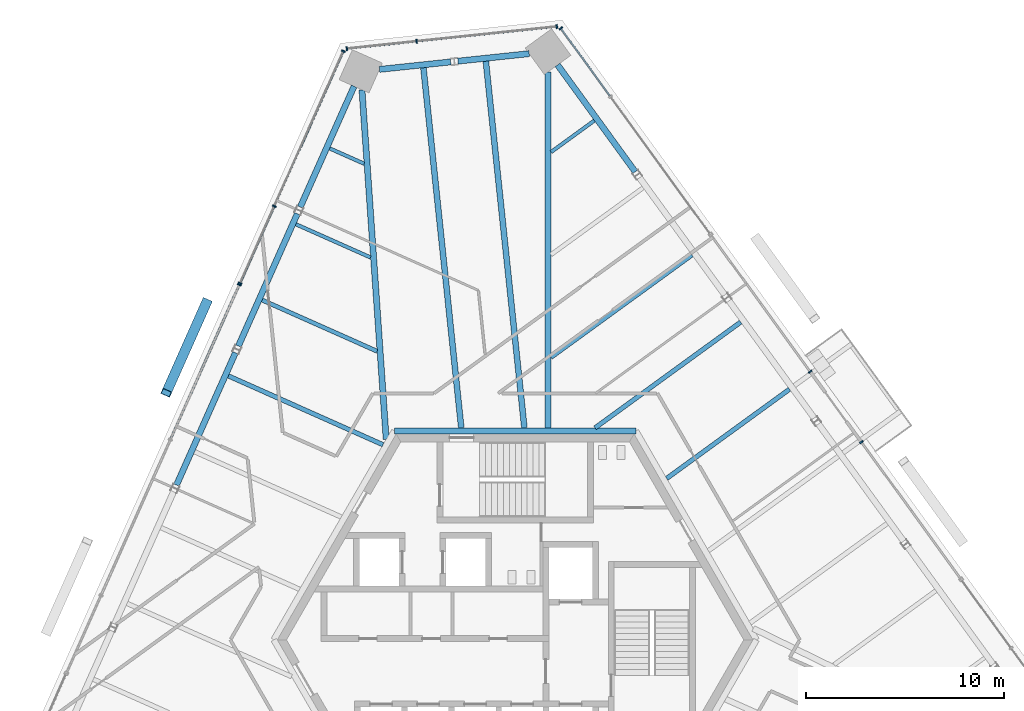
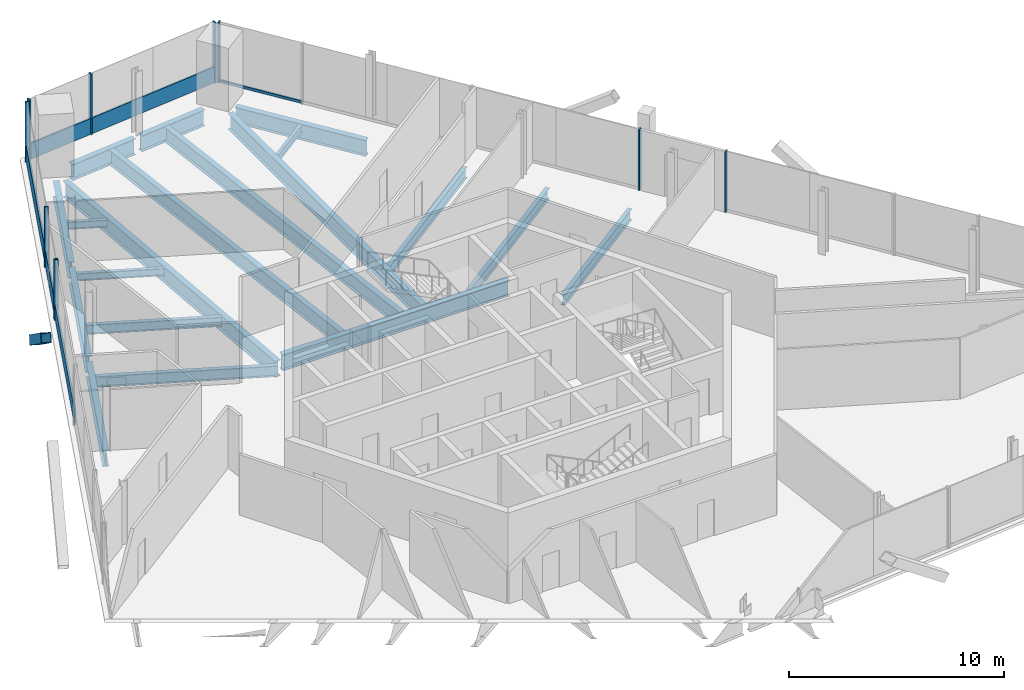
# One storey, part 8 of 18: 19 beams, 17 members, 6 elements without a shape of their own.
"""IFC4 building model written with IfcOpenShell, lengths in metres."""

from ifc_helpers import new_model, si_unit, direction, frame, origin, origin_2d, place, context, subcontext, project, spatial, rectangle, hollow_rectangle, i_section, extrude, source, transform, mapped, material, material_profile, profile_set, type_object, element, aggregate, save


model = new_model("IFC4")

# Units and contexts
model_context = context("Model", 3, precision=1e-05, world=origin(), true_north=direction((0.0, 1.0)))
body_context = subcontext(model_context, "Body", "Model", "MODEL_VIEW")
ifc_project = project(units=[si_unit("LENGTHUNIT", "METRE"), si_unit("AREAUNIT", "SQUARE_METRE"), si_unit("VOLUMEUNIT", "CUBIC_METRE"), si_unit("PLANEANGLEUNIT", "RADIAN"), si_unit("MASSUNIT", "GRAM", prefix="KILO")], contexts=[model_context])

# Site, building, storey
site_placement = place(None, origin())
site = spatial("IfcSite", under=ifc_project, at=site_placement, CompositionType="ELEMENT")
building_placement = place(site_placement, origin())
building = spatial("IfcBuilding", under=site, at=building_placement, Name="Triune Harvest Tower", CompositionType="ELEMENT")
storey_placement = place(building_placement, frame((0.0, 0.0, 230.5)))
storey = spatial("IfcBuildingStorey", under=building, at=storey_placement, Name="L60", CompositionType="ELEMENT", Elevation=230.5)

# Beams
ifc_material_1 = material(Name="Steel ASTM A992 Gr 50", Category="steel")
ifc_material_profile_1 = material_profile(ifc_material_1, i_section(OverallWidth=0.3046875, OverallDepth=0.914306640625, WebThickness=0.0166015625, FlangeThickness=0.02587890625, at=origin_2d()), Name="W36x160")
ifc_profile_set_1 = profile_set([ifc_material_profile_1], Name="Steel ASTM A992 Gr 50")
beam_type_1 = type_object("IfcBeamType", Name="CG-1 Core ring girder W36x160", PredefinedType="BEAM", material=ifc_profile_set_1)
shared_shape_1 = source(origin(), body_context, "Body", "SweptSolid", [
    extrude(i_section(OverallWidth=0.3046875, OverallDepth=0.914306640625, WebThickness=0.0166015625, FlangeThickness=0.02587890625, at=origin_2d()), origin(), (0.0, 0.0, 1.0), 12.17578125),
])
beam_1_placement = place(storey_placement, frame((6.087890625, 10.544677734375, -0.6171875), z_axis=(-1.0, 0.0, 0.0), x_axis=(0.0, -1.0, 0.0)))
element("IfcBeam", 1, at=beam_1_placement, inside=storey, type_object=beam_type_1, Name="beam/L60/CG2", PredefinedType="BEAM", context=body_context, shape_type="MappedRepresentation", body=[
    mapped(shared_shape_1, transform((0.0, 0.0, 0.0), scale=1.0)),
])
ifc_material_2 = material(Name="Steel ASTM A992 Gr 50", Category="steel")
ifc_material_profile_2 = material_profile(ifc_material_2, i_section(OverallWidth=0.3046875, OverallDepth=0.914306640625, WebThickness=0.0166015625, FlangeThickness=0.02587890625, at=origin_2d()), Name="W36x160")
ifc_profile_set_2 = profile_set([ifc_material_profile_2], Name="Steel ASTM A992 Gr 50")
beam_type_2 = type_object("IfcBeamType", Name="SB-1 Spandrel beam W36x160", PredefinedType="SPANDREL", material=ifc_profile_set_2)
shared_shape_2 = source(origin(), body_context, "Body", "SweptSolid", [
    extrude(i_section(OverallWidth=0.3046875, OverallDepth=0.914306640625, WebThickness=0.0166015625, FlangeThickness=0.02587890625, at=origin_2d()), origin(), (0.0, 0.0, 1.0), 6.67041015625),
])
beam_2_placement = place(storey_placement, frame((6.06396484375, 23.617919921875, -0.6171875), z_axis=(-0.587797324645, 0.80900822316, 0.0), x_axis=(-0.80900822316, -0.587797324645, 0.0)))
element("IfcBeam", 2, at=beam_2_placement, inside=storey, type_object=beam_type_2, Name="beam/L60/SB6", PredefinedType="SPANDREL", context=body_context, shape_type="MappedRepresentation", body=[
    mapped(shared_shape_2, transform((0.0, 0.0, 0.0), scale=1.0)),
])
shared_shape_3 = source(origin(), body_context, "Body", "SweptSolid", [
    extrude(i_section(OverallWidth=0.3046875, OverallDepth=0.914306640625, WebThickness=0.0166015625, FlangeThickness=0.02587890625, at=origin_2d()), origin(), (0.0, 0.0, 1.0), 7.31103515625),
])
beam_3_placement = place(storey_placement, frame((-14.114990234375, 14.489013671875, -0.6171875), z_axis=(-0.406761135511, -0.913534552514, 0.0), x_axis=(0.913534552514, -0.406761135511, 0.0)))
element("IfcBeam", 3, at=beam_3_placement, inside=storey, type_object=beam_type_2, Name="beam/L60/SB11", PredefinedType="SPANDREL", context=body_context, shape_type="MappedRepresentation", body=[
    mapped(shared_shape_3, transform((0.0, 0.0, 0.0), scale=1.0)),
])
shared_shape_4 = source(origin(), body_context, "Body", "SweptSolid", [
    extrude(i_section(OverallWidth=0.3046875, OverallDepth=0.914306640625, WebThickness=0.0166015625, FlangeThickness=0.02587890625, at=origin_2d()), origin(), (0.0, 0.0, 1.0), 3.614990234375),
])
for number, where, z_axis, x_axis, name in (
    (4, (0.710693359375, 29.58203125, -0.6171875), (-0.994520245169, -0.104544162673, 0.0), (0.104544162673, -0.994520245169, 0.0), "beam/L60/SB7"),
    (5, (-3.25048828125, 29.165771484375, -0.6171875), (-0.994520245169, -0.104544162673, 0.0), (0.104544162673, -0.994520245169, 0.0), "beam/L60/SB8"),
):
    element("IfcBeam", number, at=place(storey_placement, frame(where, z_axis=z_axis, x_axis=x_axis)), inside=storey, type_object=beam_type_2, Name=name, PredefinedType="SPANDREL", context=body_context, shape_type="MappedRepresentation", body=[
        mapped(shared_shape_4, transform((0.0, 0.0, 0.0), scale=1.0)),
    ])
shared_shape_5 = source(origin(), body_context, "Body", "SweptSolid", [
    extrude(i_section(OverallWidth=0.3046875, OverallDepth=0.914306640625, WebThickness=0.0166015625, FlangeThickness=0.02587890625, at=origin_2d()), origin(), (0.0, 0.0, 1.0), 6.670166015625),
])
beam_4_placement = place(storey_placement, frame((-8.128662109375, 27.9345703125, -0.6171875), z_axis=(-0.406753053854, -0.913538150917, 0.0), x_axis=(0.913538150917, -0.406753053854, 0.0)))
element("IfcBeam", 6, at=beam_4_placement, inside=storey, type_object=beam_type_2, Name="beam/L60/SB9", PredefinedType="SPANDREL", context=body_context, shape_type="MappedRepresentation", body=[
    mapped(shared_shape_5, transform((0.0, 0.0, 0.0), scale=1.0)),
])
shared_shape_6 = source(origin(), body_context, "Body", "SweptSolid", [
    extrude(i_section(OverallWidth=0.3046875, OverallDepth=0.914306640625, WebThickness=0.0166015625, FlangeThickness=0.02587890625, at=origin_2d()), origin(), (0.0, 0.0, 1.0), 7.311279296875),
])
beam_5_placement = place(storey_placement, frame((-10.991455078125, 21.504638671875, -0.6171875), z_axis=(-0.406720859208, -0.91355248491, 0.0), x_axis=(0.91355248491, -0.406720859208, 0.0)))
element("IfcBeam", 7, at=beam_5_placement, inside=storey, type_object=beam_type_2, Name="beam/L60/SB10", PredefinedType="SPANDREL", context=body_context, shape_type="MappedRepresentation", body=[
    mapped(shared_shape_6, transform((0.0, 0.0, 0.0), scale=1.0)),
])
ifc_material_3 = material(Name="Steel ASTM A992 Gr 50", Category="steel")
ifc_material_profile_3 = material_profile(ifc_material_3, i_section(OverallWidth=0.3046875, OverallDepth=0.914306640625, WebThickness=0.0166015625, FlangeThickness=0.02587890625, at=origin_2d()), Name="W36x160")
ifc_profile_set_3 = profile_set([ifc_material_profile_3], Name="Steel ASTM A992 Gr 50")
beam_type_3 = type_object("IfcBeamType", Name="HG-3 Hip girder W36x160", PredefinedType="BEAM", material=ifc_profile_set_3)
shared_shape_7 = source(origin(), body_context, "Body", "SweptSolid", [
    extrude(i_section(OverallWidth=0.3046875, OverallDepth=0.914306640625, WebThickness=0.0166015625, FlangeThickness=0.02587890625, at=origin_2d()), origin(), (0.0, 0.0, 1.0), 17.96484375),
])
beam_6_placement = place(storey_placement, frame((1.658203125, 28.661865234375, -0.6171875), z_axis=(0.0, -1.0, 0.0), x_axis=(1.0, 0.0, 0.0)))
element("IfcBeam", 8, at=beam_6_placement, inside=storey, type_object=beam_type_3, Name="beam/L60/HG3", PredefinedType="BEAM", context=body_context, shape_type="MappedRepresentation", body=[
    mapped(shared_shape_7, transform((0.0, 0.0, 0.0), scale=1.0)),
])
shared_shape_8 = source(origin(), body_context, "Body", "SweptSolid", [
    extrude(i_section(OverallWidth=0.3046875, OverallDepth=0.914306640625, WebThickness=0.0166015625, FlangeThickness=0.02587890625, at=origin_2d()), origin(), (0.0, 0.0, 1.0), 17.6748046875),
])
beam_7_placement = place(storey_placement, frame((-7.728515625, 27.756591796875, -0.6171875), z_axis=(0.069119702871, -0.997608373399, 0.0), x_axis=(0.997608373399, 0.069119702871, 0.0)))
element("IfcBeam", 9, at=beam_7_placement, inside=storey, type_object=beam_type_3, Name="beam/L60/HG4", PredefinedType="BEAM", context=body_context, shape_type="MappedRepresentation", body=[
    mapped(shared_shape_8, transform((0.0, 0.0, 0.0), scale=1.0)),
])
ifc_material_4 = material(Name="Steel ASTM A992 Gr 50", Category="steel")
ifc_material_profile_4 = material_profile(ifc_material_4, i_section(OverallWidth=0.2099609375, OverallDepth=0.535888671875, WebThickness=0.010986328125, FlangeThickness=0.017333984375, at=origin_2d()), Name="W21x68")
ifc_profile_set_4 = profile_set([ifc_material_profile_4], Name="Steel ASTM A992 Gr 50")
beam_type_4 = type_object("IfcBeamType", Name="JT-2 Floor joist W21x68", PredefinedType="JOIST", material=ifc_profile_set_4)
shared_shape_9 = source(origin(), body_context, "Body", "SweptSolid", [
    extrude(i_section(OverallWidth=0.2099609375, OverallDepth=0.535888671875, WebThickness=0.010986328125, FlangeThickness=0.017333984375, at=origin_2d()), origin(), (0.0, 0.0, 1.0), 6.346435546875),
])
beam_8_placement = place(storey_placement, frame((-12.76513671875, 17.146484375, -0.427978515625), z_axis=(0.913549614508, -0.406727306476, 0.0), x_axis=(0.406727306476, 0.913549614508, 0.0)))
element("IfcBeam", 10, at=beam_8_placement, inside=storey, type_object=beam_type_4, Name="beam/L60/JT15", PredefinedType="JOIST", context=body_context, shape_type="MappedRepresentation", body=[
    mapped(shared_shape_9, transform((0.0, 0.0, 0.0), scale=1.0)),
])
ifc_material_5 = material(Name="Steel ASTM A992 Gr 50", Category="steel")
ifc_material_profile_5 = material_profile(ifc_material_5, i_section(OverallWidth=0.22900390625, OverallDepth=0.612060546875, WebThickness=0.011962890625, FlangeThickness=0.01953125, at=origin_2d()), Name="W24x84")
ifc_profile_set_5 = profile_set([ifc_material_profile_5], Name="Steel ASTM A992 Gr 50")
beam_type_5 = type_object("IfcBeamType", Name="JT-3 Floor joist W24x84", PredefinedType="JOIST", material=ifc_profile_set_5)
shared_shape_10 = source(origin(), body_context, "Body", "SweptSolid", [
    extrude(i_section(OverallWidth=0.22900390625, OverallDepth=0.612060546875, WebThickness=0.011962890625, FlangeThickness=0.01953125, at=origin_2d()), origin(), (0.0, 0.0, 1.0), 7.659423828125),
])
beam_9_placement = place(storey_placement, frame((13.845458984375, 12.648193359375, -0.466064453125), z_axis=(-0.809007534686, -0.587798272217, 0.0), x_axis=(0.587798272217, -0.809007534686, 0.0)))
element("IfcBeam", 11, at=beam_9_placement, inside=storey, type_object=beam_type_5, Name="beam/L60/JT6", PredefinedType="JOIST", context=body_context, shape_type="MappedRepresentation", body=[
    mapped(shared_shape_10, transform((0.0, 0.0, 0.0), scale=1.0)),
])
shared_shape_11 = source(origin(), body_context, "Body", "SweptSolid", [
    extrude(i_section(OverallWidth=0.22900390625, OverallDepth=0.612060546875, WebThickness=0.011962890625, FlangeThickness=0.01953125, at=origin_2d()), origin(), (0.0, 0.0, 1.0), 9.084716796875),
])
beam_10_placement = place(storey_placement, frame((11.38330078125, 16.036865234375, -0.466064453125), z_axis=(-0.809014901919, -0.5877881323, 0.0), x_axis=(0.5877881323, -0.809014901919, 0.0)))
element("IfcBeam", 12, at=beam_10_placement, inside=storey, type_object=beam_type_5, Name="beam/L60/JT7", PredefinedType="JOIST", context=body_context, shape_type="MappedRepresentation", body=[
    mapped(shared_shape_11, transform((0.0, 0.0, 0.0), scale=1.0)),
])
shared_shape_12 = source(origin(), body_context, "Body", "SweptSolid", [
    extrude(i_section(OverallWidth=0.22900390625, OverallDepth=0.612060546875, WebThickness=0.011962890625, FlangeThickness=0.01953125, at=origin_2d()), origin(), (0.0, 0.0, 1.0), 8.789306640625),
])
beam_11_placement = place(storey_placement, frame((8.921142578125, 19.42578125, -0.466064453125), z_axis=(-0.809011065255, -0.587793412939, 0.0), x_axis=(0.587793412939, -0.809011065255, 0.0)))
element("IfcBeam", 13, at=beam_11_placement, inside=storey, type_object=beam_type_5, Name="beam/L60/JT8", PredefinedType="JOIST", context=body_context, shape_type="MappedRepresentation", body=[
    mapped(shared_shape_12, transform((0.0, 0.0, 0.0), scale=1.0)),
])
ifc_material_6 = material(Name="Steel ASTM A992 Gr 50", Category="steel")
ifc_material_profile_6 = material_profile(ifc_material_6, i_section(OverallWidth=0.180908203125, OverallDepth=0.41650390625, WebThickness=0.010986328125, FlangeThickness=0.01806640625, at=origin_2d()), Name="W16x57")
ifc_profile_set_6 = profile_set([ifc_material_profile_6], Name="Steel ASTM A992 Gr 50")
beam_type_6 = type_object("IfcBeamType", Name="JT-1 Floor joist W16x57", PredefinedType="JOIST", material=ifc_profile_set_6)
shared_shape_13 = source(origin(), body_context, "Body", "SweptSolid", [
    extrude(i_section(OverallWidth=0.180908203125, OverallDepth=0.41650390625, WebThickness=0.010986328125, FlangeThickness=0.01806640625, at=origin_2d()), origin(), (0.0, 0.0, 1.0), 2.70263671875),
])
beam_12_placement = place(storey_placement, frame((3.9970703125, 26.203369140625, -0.368408203125), z_axis=(-0.809013338029, -0.587790284788, 0.0), x_axis=(0.587790284788, -0.809013338029, 0.0)))
element("IfcBeam", 14, at=beam_12_placement, inside=storey, type_object=beam_type_6, Name="beam/L60/JT10", PredefinedType="JOIST", context=body_context, shape_type="MappedRepresentation", body=[
    mapped(shared_shape_13, transform((0.0, 0.0, 0.0), scale=1.0)),
])
ifc_material_7 = material(Name="Steel ASTM A992 Gr 50", Category="steel")
ifc_material_profile_7 = material_profile(ifc_material_7, i_section(OverallWidth=0.2919921875, OverallDepth=0.8408203125, WebThickness=0.0146484375, FlangeThickness=0.021728515625, at=origin_2d()), Name="W33x130")
ifc_profile_set_7 = profile_set([ifc_material_profile_7], Name="Steel ASTM A992 Gr 50")
beam_type_7 = type_object("IfcBeamType", Name="JT-6 Floor joist W33x130", PredefinedType="JOIST", material=ifc_profile_set_7)
shared_shape_14 = source(origin(), body_context, "Body", "SweptSolid", [
    extrude(i_section(OverallWidth=0.2919921875, OverallDepth=0.8408203125, WebThickness=0.0146484375, FlangeThickness=0.021728515625, at=origin_2d()), origin(), (0.0, 0.0, 1.0), 18.60400390625),
])
beam_13_placement = place(storey_placement, frame((-1.476318359375, 29.198974609375, -0.580322265625), z_axis=(0.104538595675, -0.994520830357, 0.0), x_axis=(0.994520830357, 0.104538595675, 0.0)))
element("IfcBeam", 15, at=beam_13_placement, inside=storey, type_object=beam_type_7, Name="beam/L60/JT11", PredefinedType="JOIST", context=body_context, shape_type="MappedRepresentation", body=[
    mapped(shared_shape_14, transform((0.0, 0.0, 0.0), scale=1.0)),
])
shared_shape_15 = source(origin(), body_context, "Body", "SweptSolid", [
    extrude(i_section(OverallWidth=0.2919921875, OverallDepth=0.8408203125, WebThickness=0.0146484375, FlangeThickness=0.021728515625, at=origin_2d()), origin(), (0.0, 0.0, 1.0), 18.27099609375),
])
beam_14_placement = place(storey_placement, frame((-4.626708984375, 28.867919921875, -0.580322265625), z_axis=(0.104532454263, -0.99452147589, 0.0), x_axis=(0.99452147589, 0.104532454263, 0.0)))
element("IfcBeam", 16, at=beam_14_placement, inside=storey, type_object=beam_type_7, Name="beam/L60/JT12", PredefinedType="JOIST", context=body_context, shape_type="MappedRepresentation", body=[
    mapped(shared_shape_15, transform((0.0, 0.0, 0.0), scale=1.0)),
])
shared_shape_16 = source(origin(), body_context, "Body", "SweptSolid", [
    extrude(i_section(OverallWidth=0.180908203125, OverallDepth=0.41650390625, WebThickness=0.010986328125, FlangeThickness=0.01806640625, at=origin_2d()), origin(), (0.0, 0.0, 1.0), 1.899169921875),
])
beam_15_placement = place(storey_placement, frame((-9.357666015625, 24.7998046875, -0.368408203125), z_axis=(0.913535666592, -0.406758633422, 0.0), x_axis=(0.406758633422, 0.913535666592, 0.0)))
element("IfcBeam", 17, at=beam_15_placement, inside=storey, type_object=beam_type_6, Name="beam/L60/JT13", PredefinedType="JOIST", context=body_context, shape_type="MappedRepresentation", body=[
    mapped(shared_shape_16, transform((0.0, 0.0, 0.0), scale=1.0)),
])
shared_shape_17 = source(origin(), body_context, "Body", "SweptSolid", [
    extrude(i_section(OverallWidth=0.180908203125, OverallDepth=0.41650390625, WebThickness=0.010986328125, FlangeThickness=0.01806640625, at=origin_2d()), origin(), (0.0, 0.0, 1.0), 4.12255859375),
])
beam_16_placement = place(storey_placement, frame((-11.061279296875, 20.972900390625, -0.368408203125), z_axis=(0.913547607509, -0.406731814363, 0.0), x_axis=(0.406731814363, 0.913547607509, 0.0)))
element("IfcBeam", 18, at=beam_16_placement, inside=storey, type_object=beam_type_6, Name="beam/L60/JT14", PredefinedType="JOIST", context=body_context, shape_type="MappedRepresentation", body=[
    mapped(shared_shape_17, transform((0.0, 0.0, 0.0), scale=1.0)),
])
shared_shape_18 = source(origin(), body_context, "Body", "SweptSolid", [
    extrude(i_section(OverallWidth=0.22900390625, OverallDepth=0.612060546875, WebThickness=0.011962890625, FlangeThickness=0.01953125, at=origin_2d()), origin(), (0.0, 0.0, 1.0), 8.539794921875),
])
beam_17_placement = place(storey_placement, frame((-14.46875, 13.319580078125, -0.466064453125), z_axis=(0.913548460016, -0.406729899567, 0.0), x_axis=(0.406729899567, 0.913548460016, 0.0)))
element("IfcBeam", 19, at=beam_17_placement, inside=storey, type_object=beam_type_5, Name="beam/L60/JT16", PredefinedType="JOIST", context=body_context, shape_type="MappedRepresentation", body=[
    mapped(shared_shape_18, transform((0.0, 0.0, 0.0), scale=1.0)),
])

# Member
ifc_material_8 = material(Name="Steel ASTM A572 Gr 50", Category="steel")
ifc_material_profile_8 = material_profile(ifc_material_8, hollow_rectangle(XDim=0.5, YDim=0.5, WallThickness=0.030029296875, at=origin_2d()), Name="Box 500x500x30")
ifc_profile_set_8 = profile_set([ifc_material_profile_8], Name="Steel ASTM A572 Gr 50")
member_type_1 = type_object("IfcMemberType", Name="BR-3 Brace Box 500x500x30", PredefinedType="BRACE", material=ifc_profile_set_8)
shared_shape_19 = source(origin(), body_context, "Body", "SweptSolid", [
    extrude(hollow_rectangle(XDim=0.5, YDim=0.5, WallThickness=0.030029296875, at=origin_2d()), origin(), (0.0, 0.0, 1.0), 6.170654296875),
])
member_1_placement = place(storey_placement, frame((-15.565673828125, 17.04638671875, 0.0), z_axis=(-0.330361733769, -0.741948933338, 0.583414865408), x_axis=(0.913534117788, -0.40676211185, 0.0)))
element("IfcMember", 20, at=member_1_placement, inside=storey, type_object=member_type_1, Name="brace/B6-F3/d1/4", PredefinedType="BRACE", context=body_context, shape_type="MappedRepresentation", body=[
    mapped(shared_shape_19, transform((0.0, 0.0, 0.0), scale=1.0)),
])

# Curtain wall, members
ifc_material_9 = material(Name="Aluminium bronze anodised", Category="aluminium")
curtain_wall_type_1 = type_object("IfcCurtainWallType", Name="CW-1 Tower stick curtain wall", PredefinedType="NOTDEFINED", material=ifc_material_9)
curtain_wall_1_placement = place(storey_placement, origin())
curtain_wall_1 = element("IfcCurtainWall", 21, at=curtain_wall_1_placement, inside=storey, type_object=curtain_wall_type_1, Name="CW-1 B6-F2 L60 run 1")
ifc_material_10 = material(Name="Aluminium bronze anodised", Category="aluminium")
ifc_material_profile_9 = material_profile(ifc_material_10, rectangle(XDim=0.199951171875, YDim=0.074951171875, at=origin_2d()), Name="MU-1 mullion 75 x 200")
ifc_profile_set_9 = profile_set([ifc_material_profile_9], Name="Aluminium bronze anodised")
member_type_2 = type_object("IfcMemberType", Name="MU-1 mullion 75 x 200", PredefinedType="MULLION", material=ifc_profile_set_9)
shared_shape_20 = source(origin(), body_context, "Body", "SweptSolid", [
    extrude(rectangle(XDim=0.199951171875, YDim=0.074951171875, at=origin_2d()), origin(), (0.0, 0.0, 1.0), 3.43994140625),
])
member_2_placement = place(storey_placement, frame((2.102294921875, 30.95068359375, 0.0), z_axis=(0.0, 0.0, 1.0), x_axis=(0.104529672907, -0.994521768229, 0.0)))
member_2 = element("IfcMember", 22, at=member_2_placement, type_object=member_type_2, Name="CW-1 mullion B6-F2 1.1", PredefinedType="MULLION", context=body_context, shape_type="MappedRepresentation", body=[
    mapped(shared_shape_20, transform((0.0, 0.0, 0.0), scale=1.0)),
])
member_3_placement = place(storey_placement, frame((-4.972412109375, 30.20703125, 0.0), z_axis=(0.0, 0.0, 1.0), x_axis=(0.104529672907, -0.994521768229, 0.0)))
member_3 = element("IfcMember", 23, at=member_3_placement, type_object=member_type_2, Name="CW-1 mullion B6-F2 1.3", PredefinedType="MULLION", context=body_context, shape_type="MappedRepresentation", body=[
    mapped(shared_shape_20, transform((0.0, 0.0, 0.0), scale=1.0)),
])
member_4_placement = place(storey_placement, frame((-8.4912109375, 29.837158203125, 0.0), z_axis=(0.0, 0.0, 1.0), x_axis=(0.104529672907, -0.994521768229, 0.0)))
member_4 = element("IfcMember", 24, at=member_4_placement, type_object=member_type_2, Name="CW-1 mullion B6-F2 1.4", PredefinedType="MULLION", context=body_context, shape_type="MappedRepresentation", body=[
    mapped(shared_shape_20, transform((0.0, 0.0, 0.0), scale=1.0)),
])

curtain_wall_2_placement = place(storey_placement, origin())
curtain_wall_2 = element("IfcCurtainWall", 25, at=curtain_wall_2_placement, inside=storey, type_object=curtain_wall_type_1, Name="CW-1 B6-F3 L60 run 1")
member_5_placement = place(storey_placement, frame((-8.669921875, 29.707275390625, 0.0), z_axis=(0.0, 0.0, 1.0), x_axis=(0.913546291384, -0.406734770456, 0.0)))
member_5 = element("IfcMember", 26, at=member_5_placement, type_object=member_type_2, Name="CW-1 mullion B6-F3 1.1", PredefinedType="MULLION", context=body_context, shape_type="MappedRepresentation", body=[
    mapped(shared_shape_20, transform((0.0, 0.0, 0.0), scale=1.0)),
])
member_6_placement = place(storey_placement, frame((-12.152587890625, 21.885009765625, 0.0), z_axis=(0.0, 0.0, 1.0), x_axis=(0.913546291384, -0.406734770456, 0.0)))
member_6 = element("IfcMember", 27, at=member_6_placement, type_object=member_type_2, Name="CW-1 mullion B6-F3 1.3", PredefinedType="MULLION", context=body_context, shape_type="MappedRepresentation", body=[
    mapped(shared_shape_20, transform((0.0, 0.0, 0.0), scale=1.0)),
])
member_7_placement = place(storey_placement, frame((-13.88623046875, 17.990966796875, 0.0), z_axis=(0.0, 0.0, 1.0), x_axis=(0.913546291384, -0.406734770456, 0.0)))
member_7 = element("IfcMember", 28, at=member_7_placement, type_object=member_type_2, Name="CW-1 mullion B6-F3 1.4", PredefinedType="MULLION", context=body_context, shape_type="MappedRepresentation", body=[
    mapped(shared_shape_20, transform((0.0, 0.0, 0.0), scale=1.0)),
])

# Curtain wall, member
ifc_material_11 = material(Name="Aluminium bronze anodised", Category="aluminium")
curtain_wall_type_2 = type_object("IfcCurtainWallType", Name="CW-7 Tower stick curtain wall with insulated spandrel infill", PredefinedType="NOTDEFINED", material=ifc_material_11)
curtain_wall_3_placement = place(storey_placement, origin())
curtain_wall_3 = element("IfcCurtainWall", 29, at=curtain_wall_3_placement, inside=storey, type_object=curtain_wall_type_2, Name="CW-7 B6-F3 L60 run 1001")
member_8_placement = place(storey_placement, frame((-13.916748046875, 17.922607421875, 0.0), z_axis=(0.0, 0.0, 1.0), x_axis=(0.913543213981, -0.406741682385, 0.0)))
member_8 = element("IfcMember", 30, at=member_8_placement, type_object=member_type_2, Name="CW-7 mullion B6-F3 1001.1", PredefinedType="MULLION", context=body_context, shape_type="MappedRepresentation", body=[
    mapped(shared_shape_20, transform((0.0, 0.0, 0.0), scale=1.0)),
])

ifc_material_12 = material(Name="Aluminium bronze anodised", Category="aluminium")
curtain_wall_type_3 = type_object("IfcCurtainWallType", Name="CW-10 Balcony window wall with insulated spandrel infill", PredefinedType="NOTDEFINED", material=ifc_material_12)
curtain_wall_4_placement = place(storey_placement, origin())
curtain_wall_4 = element("IfcCurtainWall", 31, at=curtain_wall_4_placement, inside=storey, type_object=curtain_wall_type_3, Name="CW-10 B6-F1 L60 run 1001")
ifc_material_13 = material(Name="Aluminium bronze anodised", Category="aluminium")
ifc_material_profile_10 = material_profile(ifc_material_13, rectangle(XDim=0.199951171875, YDim=0.074951171875, at=origin_2d()), Name="MU-6 mullion 75 x 200")
ifc_profile_set_10 = profile_set([ifc_material_profile_10], Name="Aluminium bronze anodised")
member_type_3 = type_object("IfcMemberType", Name="MU-6 mullion 75 x 200", PredefinedType="MULLION", material=ifc_profile_set_10)
shared_shape_21 = source(origin(), body_context, "Body", "SweptSolid", [
    extrude(rectangle(XDim=0.199951171875, YDim=0.074951171875, at=origin_2d()), origin(), (0.0, 0.0, 1.0), 3.43994140625),
])
member_9_placement = place(storey_placement, frame((17.473876953125, 9.9814453125, 0.0), z_axis=(0.0, 0.0, 1.0), x_axis=(-0.809017635651, -0.58778436965, 0.0)))
member_9 = element("IfcMember", 32, at=member_9_placement, type_object=member_type_3, Name="CW-10 mullion B6-F1 1001.3", PredefinedType="MULLION", context=body_context, shape_type="MappedRepresentation", body=[
    mapped(shared_shape_21, transform((0.0, 0.0, 0.0), scale=1.0)),
])
aggregate(curtain_wall_4, [member_9])

curtain_wall_5_placement = place(storey_placement, origin())
curtain_wall_5 = element("IfcCurtainWall", 33, at=curtain_wall_5_placement, inside=storey, type_object=curtain_wall_type_3, Name="CW-10 B6-F1 L60 run 2")
member_10_placement = place(storey_placement, frame((14.892578125, 13.5341796875, 0.0), z_axis=(0.0, 0.0, 1.0), x_axis=(-0.809017635651, -0.58778436965, 0.0)))
member_10 = element("IfcMember", 34, at=member_10_placement, type_object=member_type_3, Name="CW-10 mullion B6-F1 2.1", PredefinedType="MULLION", context=body_context, shape_type="MappedRepresentation", body=[
    mapped(shared_shape_21, transform((0.0, 0.0, 0.0), scale=1.0)),
])
aggregate(curtain_wall_5, [member_10])

ifc_material_14 = material(Name="Aluminium bronze anodised", Category="aluminium")
curtain_wall_type_4 = type_object("IfcCurtainWallType", Name="CW-6 Balcony window wall", PredefinedType="NOTDEFINED", material=ifc_material_14)
curtain_wall_6_placement = place(storey_placement, origin())
curtain_wall_6 = element("IfcCurtainWall", 35, at=curtain_wall_6_placement, inside=storey, type_object=curtain_wall_type_4, Name="CW-6 B6-F1 L60 run 1002")
member_11_placement = place(storey_placement, frame((2.303955078125, 30.86083984375, 0.0), z_axis=(0.0, 0.0, 1.0), x_axis=(-0.809016058557, -0.587786540333, 0.0)))
member_11 = element("IfcMember", 36, at=member_11_placement, type_object=member_type_3, Name="CW-6 mullion B6-F1 1002.4", PredefinedType="MULLION", context=body_context, shape_type="MappedRepresentation", body=[
    mapped(shared_shape_21, transform((0.0, 0.0, 0.0), scale=1.0)),
])

# Member
ifc_material_15 = material(Name="Aluminium bronze anodised", Category="aluminium")
ifc_material_profile_11 = material_profile(ifc_material_15, rectangle(XDim=0.090087890625, YDim=0.89990234375, at=origin_2d()), Name="TR-1 transom 90 x 900")
ifc_profile_set_11 = profile_set([ifc_material_profile_11], Name="Aluminium bronze anodised")
member_type_4 = type_object("IfcMemberType", Name="TR-1 transom 90 x 900", PredefinedType="USERDEFINED", material=ifc_profile_set_11)
shared_shape_22 = source(origin(), body_context, "Body", "SweptSolid", [
    extrude(rectangle(XDim=0.090087890625, YDim=0.89990234375, at=origin_2d()), origin(), (0.0, 0.0, 1.0), 7.038818359375),
])
member_12_placement = place(storey_placement, frame((2.06494140625, 30.946533203125, 0.449951171875), z_axis=(-0.994524252306, -0.104506036069, 0.0), x_axis=(0.104506036069, -0.994524252306, 0.0)))
member_12 = element("IfcMember", 37, at=member_12_placement, type_object=member_type_4, Name="CW-1 transom B6-F2 1.1", ObjectType="TRANSOM", PredefinedType="USERDEFINED", context=body_context, shape_type="MappedRepresentation", body=[
    mapped(shared_shape_22, transform((0.0, 0.0, 0.0), scale=1.0)),
])

shared_shape_23 = source(origin(), body_context, "Body", "SweptSolid", [
    extrude(rectangle(XDim=0.090087890625, YDim=0.89990234375, at=origin_2d()), origin(), (0.0, 0.0, 1.0), 3.46337890625),
])
member_13_placement = place(storey_placement, frame((-5.009765625, 30.203125, 0.449951171875), z_axis=(-0.994520506962, -0.10454167223, 0.0), x_axis=(0.10454167223, -0.994520506962, 0.0)))
member_13 = element("IfcMember", 38, at=member_13_placement, type_object=member_type_4, Name="CW-1 transom B6-F2 1.2", ObjectType="TRANSOM", PredefinedType="USERDEFINED", context=body_context, shape_type="MappedRepresentation", body=[
    mapped(shared_shape_23, transform((0.0, 0.0, 0.0), scale=1.0)),
])

aggregate(curtain_wall_1, [member_2, member_3, member_4, member_12, member_13])

shared_shape_24 = source(origin(), body_context, "Body", "SweptSolid", [
    extrude(rectangle(XDim=0.090087890625, YDim=0.89990234375, at=origin_2d()), origin(), (0.0, 0.0, 1.0), 8.487548828125),
])
member_14_placement = place(storey_placement, frame((-8.685302734375, 29.673095703125, 0.449951171875), z_axis=(-0.406736215364, -0.913545648072, 0.0), x_axis=(0.913545648072, -0.406736215364, 0.0)))
member_14 = element("IfcMember", 39, at=member_14_placement, type_object=member_type_4, Name="CW-1 transom B6-F3 1.1", ObjectType="TRANSOM", PredefinedType="USERDEFINED", context=body_context, shape_type="MappedRepresentation", body=[
    mapped(shared_shape_24, transform((0.0, 0.0, 0.0), scale=1.0)),
])

member_15_placement = place(storey_placement, frame((-13.93212890625, 17.88818359375, 0.449951171875), z_axis=(-0.406736215364, -0.913545648072, 0.0), x_axis=(0.913545648072, -0.406736215364, 0.0)))
member_15 = element("IfcMember", 40, at=member_15_placement, type_object=member_type_4, Name="CW-7 transom B6-F3 1001.1", ObjectType="TRANSOM", PredefinedType="USERDEFINED", context=body_context, shape_type="MappedRepresentation", body=[
    mapped(shared_shape_24, transform((0.0, 0.0, 0.0), scale=1.0)),
])

aggregate(curtain_wall_3, [member_8, member_15])

shared_shape_25 = source(origin(), body_context, "Body", "SweptSolid", [
    extrude(rectangle(XDim=0.090087890625, YDim=0.89990234375, at=origin_2d()), origin(), (0.0, 0.0, 1.0), 4.1875),
])
member_16_placement = place(storey_placement, frame((-12.16796875, 21.850830078125, 0.449951171875), z_axis=(-0.406722616448, -0.91355170257, 0.0), x_axis=(0.91355170257, -0.406722616448, 0.0)))
member_16 = element("IfcMember", 41, at=member_16_placement, type_object=member_type_4, Name="CW-1 transom B6-F3 1.2", ObjectType="TRANSOM", PredefinedType="USERDEFINED", context=body_context, shape_type="MappedRepresentation", body=[
    mapped(shared_shape_25, transform((0.0, 0.0, 0.0), scale=1.0)),
])

aggregate(curtain_wall_2, [member_5, member_6, member_7, member_14, member_16])

ifc_material_16 = material(Name="Aluminium bronze anodised", Category="aluminium")
ifc_material_profile_12 = material_profile(ifc_material_16, rectangle(XDim=0.090087890625, YDim=0.14990234375, at=origin_2d()), Name="TR-6 transom 90 x 150")
ifc_profile_set_12 = profile_set([ifc_material_profile_12], Name="Aluminium bronze anodised")
member_type_5 = type_object("IfcMemberType", Name="TR-6 transom 90 x 150", PredefinedType="USERDEFINED", material=ifc_profile_set_12)
shared_shape_26 = source(origin(), body_context, "Body", "SweptSolid", [
    extrude(rectangle(XDim=0.090087890625, YDim=0.14990234375, at=origin_2d()), origin(), (0.0, 0.0, 1.0), 4.185791015625),
])
member_17_placement = place(storey_placement, frame((4.786376953125, 27.44384765625, 0.074951171875), z_axis=(-0.587751985943, 0.809041162748, 0.0), x_axis=(-0.809041162748, -0.587751985943, 0.0)))
member_17 = element("IfcMember", 42, at=member_17_placement, type_object=member_type_5, Name="CW-6 transom B6-F1 1002.2", ObjectType="TRANSOM", PredefinedType="USERDEFINED", context=body_context, shape_type="MappedRepresentation", body=[
    mapped(shared_shape_26, transform((0.0, 0.0, 0.0), scale=1.0)),
])

aggregate(curtain_wall_6, [member_11, member_17])

save(model, "model.ifc")
